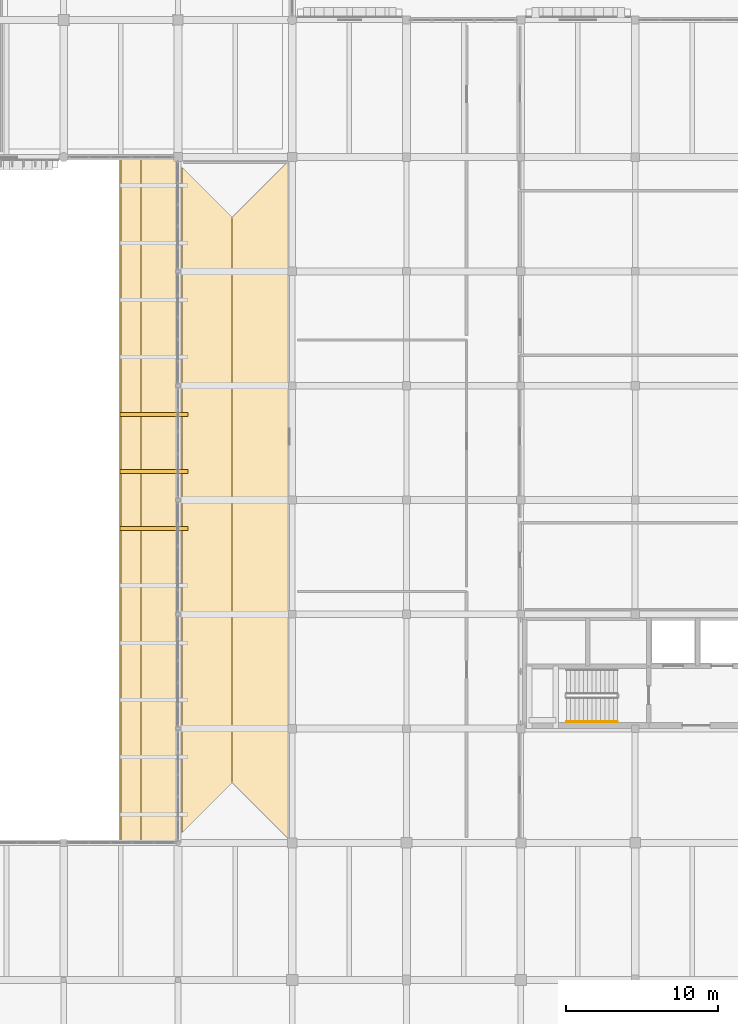
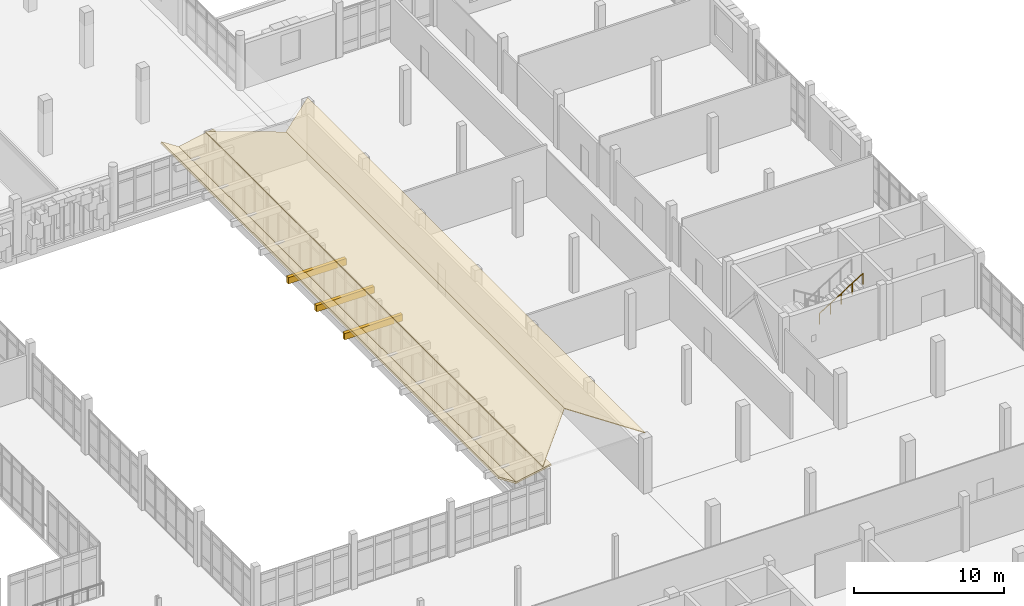
# One storey, part 124 of 128: 7 coverings, 1 railing.
"""IFC4 building model written with IfcOpenShell, lengths in metres."""

from ifc_helpers import new_model, si_unit, direction, frame, origin, origin_2d, place, context, subcontext, project, spatial, polyline, rectangle, circle, outline, extrude, material, layer, layer_set, type_object, element, save


model = new_model("IFC4")

# Units and contexts
model_context = context("Model", 3, precision=1e-05, world=origin(), true_north=direction((0.0, 1.0)))
body_context = subcontext(model_context, "Body", "Model", "MODEL_VIEW")
ifc_project = project(units=[si_unit("LENGTHUNIT", "METRE"), si_unit("AREAUNIT", "SQUARE_METRE"), si_unit("VOLUMEUNIT", "CUBIC_METRE"), si_unit("PLANEANGLEUNIT", "RADIAN"), si_unit("MASSUNIT", "GRAM", prefix="KILO")], contexts=[model_context])

# Site, building, storey
site_placement = place(None, origin())
site = spatial("IfcSite", under=ifc_project, at=site_placement, CompositionType="ELEMENT")
building_placement = place(site_placement, origin())
building = spatial("IfcBuilding", under=site, at=building_placement, Name="Dalvernix Boulevard General Hospital", CompositionType="ELEMENT")
storey_placement = place(building_placement, frame((0.0, 0.0, 4.800048828125)))
storey = spatial("IfcBuildingStorey", under=building, at=storey_placement, Name="L01", CompositionType="ELEMENT", Elevation=4.800048828125)

# Coverings
ifc_material_1 = material(Name="Glazed Catalan terracotta and iroko timber overhanging upturned eave", Category="masonry")
ifc_layer_1 = layer(ifc_material_1, 0.139892578125)
ifc_layer_set_1 = layer_set([ifc_layer_1], Name="Glazed Catalan terracotta and iroko timber overhanging upturned eave (COV-EAVE-01)")
covering_type_1 = type_object("IfcCoveringType", Name="COV-EAVE-01", PredefinedType="CLADDING", material=ifc_layer_set_1)
covering_1_placement = place(storey_placement, frame((135.25, 76.5, 4.704833984375), z_axis=(-0.185805173125, 0.0, 0.982586605669), x_axis=(0.0, -1.0, 0.0)))
element("IfcCovering", 1, at=covering_1_placement, inside=storey, type_object=covering_type_1, Name="V6E overhanging ceramic eave skirt W", PredefinedType="CLADDING", context=body_context, shape_type="SweptSolid", body=[
    extrude(outline(polyline([(0.0, 0.0), (45.0, 0.0), (45.0, -2.798735484621844), (0.0, -2.798735484621844), (0.0, 0.0)])), origin(), (0.0, 0.0, -1.0), 0.139892578125),
])
covering_2_placement = place(storey_placement, frame((132.580078125, 76.5, 4.184814453125), z_axis=(0.542906093133, 0.0, 0.839793411524), x_axis=(0.0, -1.0, 0.0)))
element("IfcCovering", 2, at=covering_2_placement, inside=storey, type_object=covering_type_1, Name="V6E upturned ceramic eave wing W", PredefinedType="CLADDING", context=body_context, shape_type="SweptSolid", body=[
    extrude(outline(polyline([(0.0, 0.0), (45.0, 0.0), (45.0, -1.5838158608391104), (0.0, -1.5838158608391104), (0.0, 0.0)])), origin(), (0.0, 0.0, -1.0), 0.139892578125),
])
ifc_material_2 = material(Name="Preservative-treated glulam GL28h eave outlooker corbel bracket", Category="wood")
ifc_layer_2 = layer(ifc_material_2, 0.239990234375)
ifc_layer_set_2 = layer_set([ifc_layer_2], Name="Preservative-treated glulam GL28h eave outlooker corbel bracket (COV-OUTLOOK-01)")
covering_type_2 = type_object("IfcCoveringType", Name="COV-OUTLOOK-01", PredefinedType="CLADDING", material=ifc_layer_set_2)
for number, where, z_axis, x_axis, name in (
    (3, (133.425048828125, 52.125, 3.78466796875), (0.0, 0.0, 1.0), (1.0, 0.0, 0.0), "V6E glulam eave outlooker corbel W-6"),
    (4, (133.425048828125, 55.875, 3.78466796875), (0.0, 0.0, 1.0), (1.0, 0.0, 0.0), "V6E glulam eave outlooker corbel W-7"),
    (5, (133.425048828125, 59.625, 3.78466796875), (0.0, 0.0, 1.0), (1.0, 0.0, 0.0), "V6E glulam eave outlooker corbel W-8"),
):
    element("IfcCovering", number, at=place(storey_placement, frame(where, z_axis=z_axis, x_axis=x_axis)), inside=storey, type_object=covering_type_2, Name=name, PredefinedType="CLADDING", context=body_context, shape_type="SweptSolid", body=[
        extrude(rectangle(XDim=4.449951171875, YDim=0.260009765625, at=origin_2d()), origin(), (0.0, 0.0, 1.0), 0.52001953125),
    ])
ifc_material_3 = material(Name="Polychrome Catalan glazed terracotta roof tiles", Category="masonry")
ifc_layer_3 = layer(ifc_material_3, 0.050048828125)
ifc_layer_set_3 = layer_set([ifc_layer_3], Name="Polychrome Catalan glazed terracotta roof tiles (COV-ROOF-01)")
covering_type_3 = type_object("IfcCoveringType", Name="COV-ROOF-01", PredefinedType="ROOFING", material=ifc_layer_set_3)
for number, where, z_axis, x_axis, name in (
    (6, (134.60009765625, 76.5, 4.71484375), (-0.238536653022, 0.0, 0.971133495028), (0.0, -1.0, 0.0), "V6E glazed terracotta tile slope W"),
    (7, (142.5, 31.5, 4.71484375), (0.238536653022, 0.0, 0.971133495028), (0.0, 1.0, 0.0), "V6E glazed terracotta tile slope E"),
):
    element("IfcCovering", number, at=place(storey_placement, frame(where, z_axis=z_axis, x_axis=x_axis)), inside=storey, type_object=covering_type_3, Name=name, PredefinedType="ROOFING", context=body_context, shape_type="SweptSolid", body=[
        extrude(outline(polyline([(0.0, 0.0), (45.0, 0.0), (41.050048828125, 4.06736168827282), (3.949951171875, 4.06736168827282), (0.0, 0.0)])), origin(), (0.0, 0.0, -1.0), 0.050048828125),
    ])

# Railing
ifc_material_4 = material(Name="Brushed stainless steel wall handrail", Category="steel")
railing_type = type_object("IfcRailingType", Name="RL-HR-INT1", PredefinedType="HANDRAIL", material=ifc_material_4)
railing_placement = place(storey_placement, frame((160.489990234375, 39.449951171875, 2.423095703125)))
element("IfcRailing", 8, at=railing_placement, inside=storey, type_object=railing_type, Name="L01 ST-06 stair handrail 2", PredefinedType="HANDRAIL", context=body_context, shape_type="SweptSolid", body=[
    extrude(circle(Radius=0.02392578125, at=origin_2d()), frame((0.0, 0.0, 0.8759765625), z_axis=(0.850623216509, 0.0, 0.525775754039), x_axis=(0.0, 1.0, 0.0)), (0.0, 0.0, 1.0), 3.9501953125),
    extrude(circle(Radius=0.02099609375, at=origin_2d()), origin(), (0.0, 0.0, 1.0), 0.851806640625),
    extrude(circle(Radius=0.02099609375, at=origin_2d()), frame((0.840087890625, 0.0, 0.519287109375)), (0.0, 0.0, 1.0), 0.851806640625),
    extrude(circle(Radius=0.02099609375, at=origin_2d()), frame((1.68017578125, 0.0, 1.03857421875)), (0.0, 0.0, 1.0), 0.851806640625),
    extrude(circle(Radius=0.02099609375, at=origin_2d()), frame((2.52001953125, 0.0, 1.5576171875)), (0.0, 0.0, 1.0), 0.851806640625),
    extrude(circle(Radius=0.02099609375, at=origin_2d()), frame((3.360107421875, 0.0, 2.076904296875)), (0.0, 0.0, 1.0), 0.851806640625),
])

save(model, "model.ifc")
